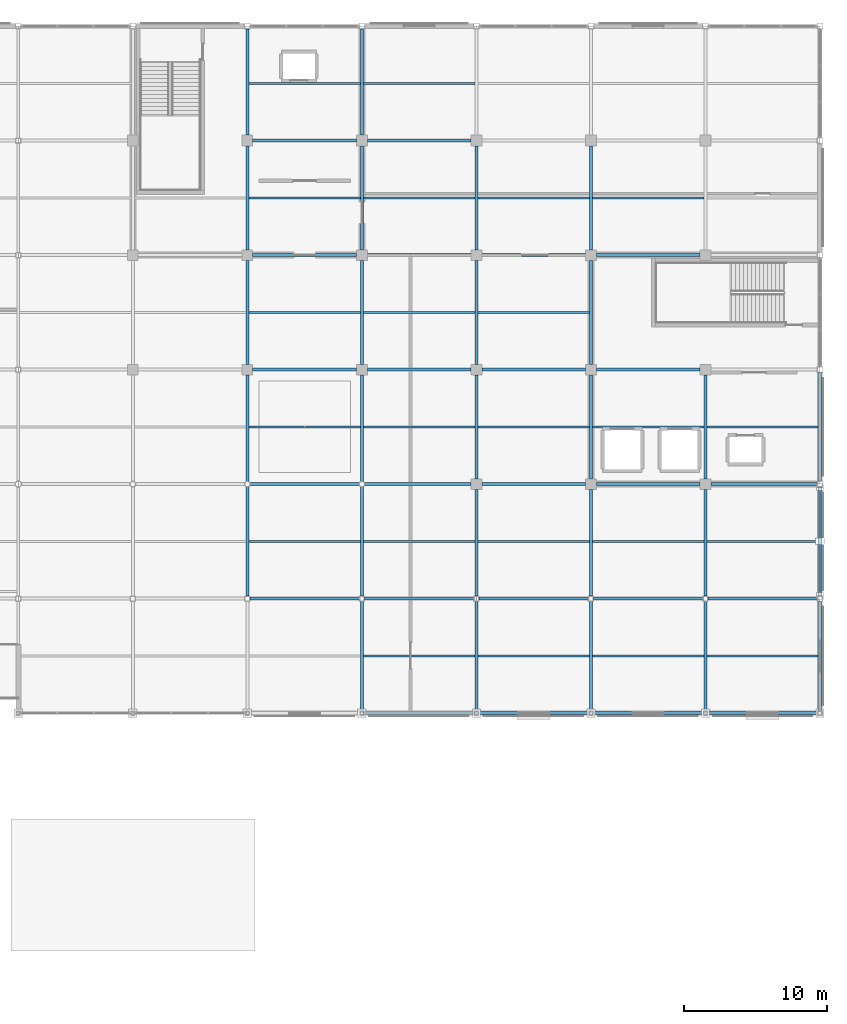
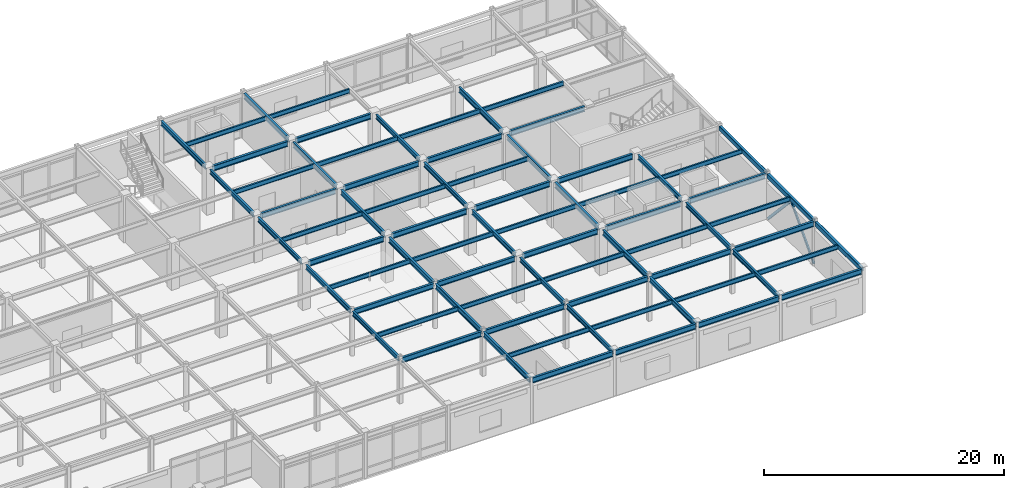
# One storey, part 76 of 117: 74 beams, 2 members.
"""IFC4 building model written with IfcOpenShell, lengths in metres."""

from ifc_helpers import new_model, si_unit, direction, frame, origin, origin_2d, place, context, subcontext, project, spatial, hollow_rectangle, i_section, extrude, material, material_profile, profile_set, type_object, element, save


model = new_model("IFC4")

# Units and contexts
model_context = context("Model", 3, precision=1e-05, world=origin(), true_north=direction((0.0, 1.0)))
body_context = subcontext(model_context, "Body", "Model", "MODEL_VIEW")
ifc_project = project(units=[si_unit("LENGTHUNIT", "METRE"), si_unit("AREAUNIT", "SQUARE_METRE"), si_unit("VOLUMEUNIT", "CUBIC_METRE"), si_unit("PLANEANGLEUNIT", "RADIAN"), si_unit("MASSUNIT", "GRAM", prefix="KILO")], contexts=[model_context])

# Site, building, storey
site_placement = place(None, origin())
site = spatial("IfcSite", under=ifc_project, at=site_placement, CompositionType="ELEMENT")
building_placement = place(site_placement, origin())
building = spatial("IfcBuilding", under=site, at=building_placement, Name="Solmirada Galleria", CompositionType="ELEMENT")
storey_placement = place(building_placement, frame((0.0, 0.0, 5.60009765625)))
storey = spatial("IfcBuildingStorey", under=building, at=storey_placement, Name="L01", CompositionType="ELEMENT", Elevation=5.60009765625)

# Beams
ifc_material_1 = material(Name="Steel S355 / ASTM A992 Grade 50", Category="steel")
ifc_material_profile_1 = material_profile(ifc_material_1, i_section(OverallWidth=0.194091796875, OverallDepth=0.468994140625, WebThickness=0.0126953125, FlangeThickness=0.0205078125, FilletRadius=0.013916015625, at=origin_2d()), Name="W18X71")
ifc_profile_set_1 = profile_set([ifc_material_profile_1], Name="Steel S355 / ASTM A992 Grade 50")
beam_type_1 = type_object("IfcBeamType", Name="BM-GIRD-W18B", PredefinedType="BEAM", material=ifc_profile_set_1)
beam_1_placement = place(storey_placement, frame((136.0, 80.177978515625, 4.365478515625), z_axis=(0.0, 1.0, 0.0), x_axis=(-1.0, 0.0, 0.0)))
element("IfcBeam", 1, at=beam_1_placement, inside=storey, type_object=beam_type_1, Name="Primary girder L02 Y(136, 80..88)", PredefinedType="BEAM", context=body_context, shape_type="SweptSolid", body=[
    extrude(i_section(OverallWidth=0.194091796875, OverallDepth=0.468994140625, WebThickness=0.0126953125, FlangeThickness=0.0205078125, FilletRadius=0.013916015625, at=origin_2d()), origin(), (0.0, 0.0, 1.0), 7.651611328125),
])
beam_2_placement = place(storey_placement, frame((136.0, 88.17041015625, 4.365478515625), z_axis=(0.0, 1.0, 0.0), x_axis=(-1.0, 0.0, 0.0)))
element("IfcBeam", 2, at=beam_2_placement, inside=storey, type_object=beam_type_1, Name="Primary girder L02 Y(136, 88..96)", PredefinedType="BEAM", context=body_context, shape_type="SweptSolid", body=[
    extrude(i_section(OverallWidth=0.194091796875, OverallDepth=0.468994140625, WebThickness=0.0126953125, FlangeThickness=0.0205078125, FilletRadius=0.013916015625, at=origin_2d()), origin(), (0.0, 0.0, 1.0), 7.45458984375),
])
for number, where, z_axis, x_axis, name in (
    (3, (136.0, 96.375, 4.365478515625), (0.0, 1.0, 0.0), (-1.0, 0.0, 0.0), "Primary girder L02 Y(136, 96..104)"),
    (4, (136.0, 104.375, 4.365478515625), (0.0, 1.0, 0.0), (-1.0, 0.0, 0.0), "Primary girder L02 Y(136, 104..112)"),
):
    element("IfcBeam", number, at=place(storey_placement, frame(where, z_axis=z_axis, x_axis=x_axis)), inside=storey, type_object=beam_type_1, Name=name, PredefinedType="BEAM", context=body_context, shape_type="SweptSolid", body=[
        extrude(i_section(OverallWidth=0.194091796875, OverallDepth=0.468994140625, WebThickness=0.0126953125, FlangeThickness=0.0205078125, FilletRadius=0.013916015625, at=origin_2d()), origin(), (0.0, 0.0, 1.0), 7.25),
    ])
beam_3_placement = place(storey_placement, frame((136.0, 112.375, 4.365478515625), z_axis=(0.0, 1.0, 0.0), x_axis=(-1.0, 0.0, 0.0)))
element("IfcBeam", 5, at=beam_3_placement, inside=storey, type_object=beam_type_1, Name="Primary girder L02 Y(136, 112..120)", PredefinedType="BEAM", context=body_context, shape_type="SweptSolid", body=[
    extrude(i_section(OverallWidth=0.194091796875, OverallDepth=0.468994140625, WebThickness=0.0126953125, FlangeThickness=0.0205078125, FilletRadius=0.013916015625, at=origin_2d()), origin(), (0.0, 0.0, 1.0), 7.422119140625),
])
beam_4_placement = place(storey_placement, frame((152.0, 72.126953125, 4.325439453125), z_axis=(0.0, 1.0, 0.0), x_axis=(-1.0, 0.0, 0.0)))
element("IfcBeam", 6, at=beam_4_placement, inside=storey, type_object=beam_type_1, Name="Primary girder L02 Y(152, 72..80)", PredefinedType="BEAM", context=body_context, shape_type="SweptSolid", body=[
    extrude(i_section(OverallWidth=0.194091796875, OverallDepth=0.468994140625, WebThickness=0.0126953125, FlangeThickness=0.0205078125, FilletRadius=0.013916015625, at=origin_2d()), origin(), (0.0, 0.0, 1.0), 7.695068359375),
])
beam_5_placement = place(storey_placement, frame((152.0, 80.177978515625, 4.365478515625), z_axis=(0.0, 1.0, 0.0), x_axis=(-1.0, 0.0, 0.0)))
element("IfcBeam", 7, at=beam_5_placement, inside=storey, type_object=beam_type_1, Name="Primary girder L02 Y(152, 80..88)", PredefinedType="BEAM", context=body_context, shape_type="SweptSolid", body=[
    extrude(i_section(OverallWidth=0.194091796875, OverallDepth=0.468994140625, WebThickness=0.0126953125, FlangeThickness=0.0205078125, FilletRadius=0.013916015625, at=origin_2d()), origin(), (0.0, 0.0, 1.0), 7.447021484375),
])
for number, where, z_axis, x_axis, name in (
    (8, (152.0, 88.375, 4.365478515625), (0.0, 1.0, 0.0), (-1.0, 0.0, 0.0), "Primary girder L02 Y(152, 88..96)"),
    (9, (152.0, 96.375, 4.365478515625), (0.0, 1.0, 0.0), (-1.0, 0.0, 0.0), "Primary girder L02 Y(152, 96..104)"),
    (10, (152.0, 104.375, 4.365478515625), (0.0, 1.0, 0.0), (-1.0, 0.0, 0.0), "Primary girder L02 Y(152, 104..112)"),
):
    element("IfcBeam", number, at=place(storey_placement, frame(where, z_axis=z_axis, x_axis=x_axis)), inside=storey, type_object=beam_type_1, Name=name, PredefinedType="BEAM", context=body_context, shape_type="SweptSolid", body=[
        extrude(i_section(OverallWidth=0.194091796875, OverallDepth=0.468994140625, WebThickness=0.0126953125, FlangeThickness=0.0205078125, FilletRadius=0.013916015625, at=origin_2d()), origin(), (0.0, 0.0, 1.0), 7.25),
    ])
beam_6_placement = place(storey_placement, frame((168.0, 72.126953125, 4.325439453125), z_axis=(0.0, 1.0, 0.0), x_axis=(-1.0, 0.0, 0.0)))
element("IfcBeam", 11, at=beam_6_placement, inside=storey, type_object=beam_type_1, Name="Primary girder L02 Y(168, 72..80)", PredefinedType="BEAM", context=body_context, shape_type="SweptSolid", body=[
    extrude(i_section(OverallWidth=0.194091796875, OverallDepth=0.468994140625, WebThickness=0.0126953125, FlangeThickness=0.0205078125, FilletRadius=0.013916015625, at=origin_2d()), origin(), (0.0, 0.0, 1.0), 7.695068359375),
])
beam_7_placement = place(storey_placement, frame((168.0, 80.177978515625, 4.365478515625), z_axis=(0.0, 1.0, 0.0), x_axis=(-1.0, 0.0, 0.0)))
element("IfcBeam", 12, at=beam_7_placement, inside=storey, type_object=beam_type_1, Name="Primary girder L02 Y(168, 80..88)", PredefinedType="BEAM", context=body_context, shape_type="SweptSolid", body=[
    extrude(i_section(OverallWidth=0.194091796875, OverallDepth=0.468994140625, WebThickness=0.0126953125, FlangeThickness=0.0205078125, FilletRadius=0.013916015625, at=origin_2d()), origin(), (0.0, 0.0, 1.0), 7.447021484375),
])
beam_8_placement = place(storey_placement, frame((168.0, 88.375, 4.365478515625), z_axis=(0.0, 1.0, 0.0), x_axis=(-1.0, 0.0, 0.0)))
element("IfcBeam", 13, at=beam_8_placement, inside=storey, type_object=beam_type_1, Name="Primary girder L02 Y(168, 88..96)", PredefinedType="BEAM", context=body_context, shape_type="SweptSolid", body=[
    extrude(i_section(OverallWidth=0.194091796875, OverallDepth=0.468994140625, WebThickness=0.0126953125, FlangeThickness=0.0205078125, FilletRadius=0.013916015625, at=origin_2d()), origin(), (0.0, 0.0, 1.0), 7.25),
])
ifc_material_profile_2 = material_profile(ifc_material_1, i_section(OverallWidth=0.214111328125, OverallDepth=0.549072265625, WebThickness=0.0146484375, FlangeThickness=0.023681640625, FilletRadius=0.014892578125, at=origin_2d()), Name="W21X93")
ifc_profile_set_2 = profile_set([ifc_material_profile_2], Name="Steel S355 / ASTM A992 Grade 50")
beam_type_2 = type_object("IfcBeamType", Name="BM-GIRD-W21A", PredefinedType="BEAM", material=ifc_profile_set_2)
beam_9_placement = place(storey_placement, frame((136.177978515625, 80.0, 4.285400390625), z_axis=(1.0, 0.0, 0.0), x_axis=(0.0, 1.0, 0.0)))
element("IfcBeam", 14, at=beam_9_placement, inside=storey, type_object=beam_type_2, Name="Primary beam L02 X(136..144, 80)", PredefinedType="BEAM", context=body_context, shape_type="SweptSolid", body=[
    extrude(i_section(OverallWidth=0.214111328125, OverallDepth=0.549072265625, WebThickness=0.0146484375, FlangeThickness=0.023681640625, FilletRadius=0.014892578125, at=origin_2d()), origin(), (0.0, 0.0, 1.0), 7.64404296875),
])
for number, where, z_axis, x_axis, name in (
    (15, (136.375, 96.0, 4.325439453125), (1.0, 0.0, 0.0), (0.0, 1.0, 0.0), "Primary beam L02 X(136..144, 96)"),
    (16, (136.375, 112.0, 4.325439453125), (1.0, 0.0, 0.0), (0.0, 1.0, 0.0), "Primary beam L02 X(136..144, 112)"),
):
    element("IfcBeam", number, at=place(storey_placement, frame(where, z_axis=z_axis, x_axis=x_axis)), inside=storey, type_object=beam_type_2, Name=name, PredefinedType="BEAM", context=body_context, shape_type="SweptSolid", body=[
        extrude(i_section(OverallWidth=0.214111328125, OverallDepth=0.549072265625, WebThickness=0.0146484375, FlangeThickness=0.023681640625, FilletRadius=0.014892578125, at=origin_2d()), origin(), (0.0, 0.0, 1.0), 7.25),
    ])
beam_10_placement = place(storey_placement, frame((144.177978515625, 80.0, 4.285400390625), z_axis=(1.0, 0.0, 0.0), x_axis=(0.0, 1.0, 0.0)))
element("IfcBeam", 17, at=beam_10_placement, inside=storey, type_object=beam_type_2, Name="Primary beam L02 X(144..152, 80)", PredefinedType="BEAM", context=body_context, shape_type="SweptSolid", body=[
    extrude(i_section(OverallWidth=0.214111328125, OverallDepth=0.549072265625, WebThickness=0.0146484375, FlangeThickness=0.023681640625, FilletRadius=0.014892578125, at=origin_2d()), origin(), (0.0, 0.0, 1.0), 7.64404296875),
])
for number, where, z_axis, x_axis, name in (
    (18, (144.375, 96.0, 4.325439453125), (1.0, 0.0, 0.0), (0.0, 1.0, 0.0), "Primary beam L02 X(144..152, 96)"),
    (19, (144.375, 112.0, 4.325439453125), (1.0, 0.0, 0.0), (0.0, 1.0, 0.0), "Primary beam L02 X(144..152, 112)"),
):
    element("IfcBeam", number, at=place(storey_placement, frame(where, z_axis=z_axis, x_axis=x_axis)), inside=storey, type_object=beam_type_2, Name=name, PredefinedType="BEAM", context=body_context, shape_type="SweptSolid", body=[
        extrude(i_section(OverallWidth=0.214111328125, OverallDepth=0.549072265625, WebThickness=0.0146484375, FlangeThickness=0.023681640625, FilletRadius=0.014892578125, at=origin_2d()), origin(), (0.0, 0.0, 1.0), 7.25),
    ])
beam_11_placement = place(storey_placement, frame((152.177978515625, 80.0, 4.285400390625), z_axis=(1.0, 0.0, 0.0), x_axis=(0.0, 1.0, 0.0)))
element("IfcBeam", 20, at=beam_11_placement, inside=storey, type_object=beam_type_2, Name="Primary beam L02 X(152..160, 80)", PredefinedType="BEAM", context=body_context, shape_type="SweptSolid", body=[
    extrude(i_section(OverallWidth=0.214111328125, OverallDepth=0.549072265625, WebThickness=0.0146484375, FlangeThickness=0.023681640625, FilletRadius=0.014892578125, at=origin_2d()), origin(), (0.0, 0.0, 1.0), 7.64404296875),
])
beam_12_placement = place(storey_placement, frame((152.375, 96.0, 4.325439453125), z_axis=(1.0, 0.0, 0.0), x_axis=(0.0, 1.0, 0.0)))
element("IfcBeam", 21, at=beam_12_placement, inside=storey, type_object=beam_type_2, Name="Primary beam L02 X(152..160, 96)", PredefinedType="BEAM", context=body_context, shape_type="SweptSolid", body=[
    extrude(i_section(OverallWidth=0.214111328125, OverallDepth=0.549072265625, WebThickness=0.0146484375, FlangeThickness=0.023681640625, FilletRadius=0.014892578125, at=origin_2d()), origin(), (0.0, 0.0, 1.0), 7.25),
])
beam_13_placement = place(storey_placement, frame((160.177978515625, 80.0, 4.285400390625), z_axis=(1.0, 0.0, 0.0), x_axis=(0.0, 1.0, 0.0)))
element("IfcBeam", 22, at=beam_13_placement, inside=storey, type_object=beam_type_2, Name="Primary beam L02 X(160..168, 80)", PredefinedType="BEAM", context=body_context, shape_type="SweptSolid", body=[
    extrude(i_section(OverallWidth=0.214111328125, OverallDepth=0.549072265625, WebThickness=0.0146484375, FlangeThickness=0.023681640625, FilletRadius=0.014892578125, at=origin_2d()), origin(), (0.0, 0.0, 1.0), 7.64404296875),
])
beam_14_placement = place(storey_placement, frame((160.375, 96.0, 4.325439453125), z_axis=(1.0, 0.0, 0.0), x_axis=(0.0, 1.0, 0.0)))
element("IfcBeam", 23, at=beam_14_placement, inside=storey, type_object=beam_type_2, Name="Primary beam L02 X(160..168, 96)", PredefinedType="BEAM", context=body_context, shape_type="SweptSolid", body=[
    extrude(i_section(OverallWidth=0.214111328125, OverallDepth=0.549072265625, WebThickness=0.0146484375, FlangeThickness=0.023681640625, FilletRadius=0.014892578125, at=origin_2d()), origin(), (0.0, 0.0, 1.0), 7.25),
])
beam_15_placement = place(storey_placement, frame((168.177978515625, 80.0, 4.285400390625), z_axis=(1.0, 0.0, 0.0), x_axis=(0.0, 1.0, 0.0)))
element("IfcBeam", 24, at=beam_15_placement, inside=storey, type_object=beam_type_2, Name="Primary beam L02 X(168..176, 80)", PredefinedType="BEAM", context=body_context, shape_type="SweptSolid", body=[
    extrude(i_section(OverallWidth=0.214111328125, OverallDepth=0.549072265625, WebThickness=0.0146484375, FlangeThickness=0.023681640625, FilletRadius=0.014892578125, at=origin_2d()), origin(), (0.0, 0.0, 1.0), 7.64404296875),
])
ifc_material_profile_3 = material_profile(ifc_material_1, i_section(OverallWidth=0.2099609375, OverallDepth=0.537109375, WebThickness=0.010986328125, FlangeThickness=0.017333984375, FilletRadius=0.014892578125, at=origin_2d()), Name="W21X68")
ifc_profile_set_3 = profile_set([ifc_material_profile_3], Name="Steel S355 / ASTM A992 Grade 50")
beam_type_3 = type_object("IfcBeamType", Name="BM-GIRD-W21B", PredefinedType="BEAM", material=ifc_profile_set_3)
beam_16_placement = place(storey_placement, frame((136.17041015625, 88.0, 4.331298828125), z_axis=(1.0, 0.0, 0.0), x_axis=(0.0, 1.0, 0.0)))
element("IfcBeam", 25, at=beam_16_placement, inside=storey, type_object=beam_type_3, Name="Primary beam L02 X(136..144, 88)", PredefinedType="BEAM", context=body_context, shape_type="SweptSolid", body=[
    extrude(i_section(OverallWidth=0.2099609375, OverallDepth=0.537109375, WebThickness=0.010986328125, FlangeThickness=0.017333984375, FilletRadius=0.014892578125, at=origin_2d()), origin(), (0.0, 0.0, 1.0), 7.6591796875),
])
beam_17_placement = place(storey_placement, frame((136.375, 104.0, 4.331298828125), z_axis=(1.0, 0.0, 0.0), x_axis=(0.0, 1.0, 0.0)))
element("IfcBeam", 26, at=beam_17_placement, inside=storey, type_object=beam_type_3, Name="Primary beam L02 X(136..144, 104)", PredefinedType="BEAM", context=body_context, shape_type="SweptSolid", body=[
    extrude(i_section(OverallWidth=0.2099609375, OverallDepth=0.537109375, WebThickness=0.010986328125, FlangeThickness=0.017333984375, FilletRadius=0.014892578125, at=origin_2d()), origin(), (0.0, 0.0, 1.0), 7.25),
])
beam_18_placement = place(storey_placement, frame((144.126953125, 72.0, 4.29150390625), z_axis=(1.0, 0.0, 0.0), x_axis=(0.0, 1.0, 0.0)))
element("IfcBeam", 27, at=beam_18_placement, inside=storey, type_object=beam_type_3, Name="Primary beam L02 X(144..152, 72)", PredefinedType="BEAM", context=body_context, shape_type="SweptSolid", body=[
    extrude(i_section(OverallWidth=0.2099609375, OverallDepth=0.537109375, WebThickness=0.010986328125, FlangeThickness=0.017333984375, FilletRadius=0.014892578125, at=origin_2d()), origin(), (0.0, 0.0, 1.0), 7.74609375),
])
beam_19_placement = place(storey_placement, frame((144.17041015625, 88.0, 4.331298828125), z_axis=(1.0, 0.0, 0.0), x_axis=(0.0, 1.0, 0.0)))
element("IfcBeam", 28, at=beam_19_placement, inside=storey, type_object=beam_type_3, Name="Primary beam L02 X(144..152, 88)", PredefinedType="BEAM", context=body_context, shape_type="SweptSolid", body=[
    extrude(i_section(OverallWidth=0.2099609375, OverallDepth=0.537109375, WebThickness=0.010986328125, FlangeThickness=0.017333984375, FilletRadius=0.014892578125, at=origin_2d()), origin(), (0.0, 0.0, 1.0), 7.45458984375),
])
beam_20_placement = place(storey_placement, frame((144.375, 104.0, 4.331298828125), z_axis=(1.0, 0.0, 0.0), x_axis=(0.0, 1.0, 0.0)))
element("IfcBeam", 29, at=beam_20_placement, inside=storey, type_object=beam_type_3, Name="Primary beam L02 X(144..152, 104)", PredefinedType="BEAM", context=body_context, shape_type="SweptSolid", body=[
    extrude(i_section(OverallWidth=0.2099609375, OverallDepth=0.537109375, WebThickness=0.010986328125, FlangeThickness=0.017333984375, FilletRadius=0.014892578125, at=origin_2d()), origin(), (0.0, 0.0, 1.0), 7.25),
])
beam_21_placement = place(storey_placement, frame((152.126953125, 72.0, 4.29150390625), z_axis=(1.0, 0.0, 0.0), x_axis=(0.0, 1.0, 0.0)))
element("IfcBeam", 30, at=beam_21_placement, inside=storey, type_object=beam_type_3, Name="Primary beam L02 X(152..160, 72)", PredefinedType="BEAM", context=body_context, shape_type="SweptSolid", body=[
    extrude(i_section(OverallWidth=0.2099609375, OverallDepth=0.537109375, WebThickness=0.010986328125, FlangeThickness=0.017333984375, FilletRadius=0.014892578125, at=origin_2d()), origin(), (0.0, 0.0, 1.0), 7.74609375),
])
for number, where, z_axis, x_axis, name in (
    (31, (152.375, 88.0, 4.331298828125), (1.0, 0.0, 0.0), (0.0, 1.0, 0.0), "Primary beam L02 X(152..160, 88)"),
    (32, (152.375, 104.0, 4.331298828125), (1.0, 0.0, 0.0), (0.0, 1.0, 0.0), "Primary beam L02 X(152..160, 104)"),
):
    element("IfcBeam", number, at=place(storey_placement, frame(where, z_axis=z_axis, x_axis=x_axis)), inside=storey, type_object=beam_type_3, Name=name, PredefinedType="BEAM", context=body_context, shape_type="SweptSolid", body=[
        extrude(i_section(OverallWidth=0.2099609375, OverallDepth=0.537109375, WebThickness=0.010986328125, FlangeThickness=0.017333984375, FilletRadius=0.014892578125, at=origin_2d()), origin(), (0.0, 0.0, 1.0), 7.25),
    ])
beam_22_placement = place(storey_placement, frame((160.126953125, 72.0, 4.29150390625), z_axis=(1.0, 0.0, 0.0), x_axis=(0.0, 1.0, 0.0)))
element("IfcBeam", 33, at=beam_22_placement, inside=storey, type_object=beam_type_3, Name="Primary beam L02 X(160..168, 72)", PredefinedType="BEAM", context=body_context, shape_type="SweptSolid", body=[
    extrude(i_section(OverallWidth=0.2099609375, OverallDepth=0.537109375, WebThickness=0.010986328125, FlangeThickness=0.017333984375, FilletRadius=0.014892578125, at=origin_2d()), origin(), (0.0, 0.0, 1.0), 7.74609375),
])
for number, where, z_axis, x_axis, name in (
    (34, (160.375, 88.0, 4.331298828125), (1.0, 0.0, 0.0), (0.0, 1.0, 0.0), "Primary beam L02 X(160..168, 88)"),
    (35, (160.375, 104.0, 4.331298828125), (1.0, 0.0, 0.0), (0.0, 1.0, 0.0), "Primary beam L02 X(160..168, 104)"),
):
    element("IfcBeam", number, at=place(storey_placement, frame(where, z_axis=z_axis, x_axis=x_axis)), inside=storey, type_object=beam_type_3, Name=name, PredefinedType="BEAM", context=body_context, shape_type="SweptSolid", body=[
        extrude(i_section(OverallWidth=0.2099609375, OverallDepth=0.537109375, WebThickness=0.010986328125, FlangeThickness=0.017333984375, FilletRadius=0.014892578125, at=origin_2d()), origin(), (0.0, 0.0, 1.0), 7.25),
    ])
beam_23_placement = place(storey_placement, frame((168.126953125, 72.0, 4.29150390625), z_axis=(1.0, 0.0, 0.0), x_axis=(0.0, 1.0, 0.0)))
element("IfcBeam", 36, at=beam_23_placement, inside=storey, type_object=beam_type_3, Name="Primary beam L02 X(168..176, 72)", PredefinedType="BEAM", context=body_context, shape_type="SweptSolid", body=[
    extrude(i_section(OverallWidth=0.2099609375, OverallDepth=0.537109375, WebThickness=0.010986328125, FlangeThickness=0.017333984375, FilletRadius=0.014892578125, at=origin_2d()), origin(), (0.0, 0.0, 1.0), 7.720458984375),
])
beam_24_placement = place(storey_placement, frame((168.375, 88.0, 4.331298828125), z_axis=(1.0, 0.0, 0.0), x_axis=(0.0, 1.0, 0.0)))
element("IfcBeam", 37, at=beam_24_placement, inside=storey, type_object=beam_type_3, Name="Primary beam L02 X(168..176, 88)", PredefinedType="BEAM", context=body_context, shape_type="SweptSolid", body=[
    extrude(i_section(OverallWidth=0.2099609375, OverallDepth=0.537109375, WebThickness=0.010986328125, FlangeThickness=0.017333984375, FilletRadius=0.014892578125, at=origin_2d()), origin(), (0.0, 0.0, 1.0), 7.422119140625),
])
beam_25_placement = place(storey_placement, frame((144.0, 72.126953125, 4.29150390625), z_axis=(0.0, 1.0, 0.0), x_axis=(-1.0, 0.0, 0.0)))
element("IfcBeam", 38, at=beam_25_placement, inside=storey, type_object=beam_type_3, Name="Primary girder L02 Y(144, 72..80)", PredefinedType="BEAM", context=body_context, shape_type="SweptSolid", body=[
    extrude(i_section(OverallWidth=0.2099609375, OverallDepth=0.537109375, WebThickness=0.010986328125, FlangeThickness=0.017333984375, FilletRadius=0.014892578125, at=origin_2d()), origin(), (0.0, 0.0, 1.0), 7.695068359375),
])
beam_26_placement = place(storey_placement, frame((144.0, 80.177978515625, 4.331298828125), z_axis=(0.0, 1.0, 0.0), x_axis=(-1.0, 0.0, 0.0)))
element("IfcBeam", 39, at=beam_26_placement, inside=storey, type_object=beam_type_3, Name="Primary girder L02 Y(144, 80..88)", PredefinedType="BEAM", context=body_context, shape_type="SweptSolid", body=[
    extrude(i_section(OverallWidth=0.2099609375, OverallDepth=0.537109375, WebThickness=0.010986328125, FlangeThickness=0.017333984375, FilletRadius=0.014892578125, at=origin_2d()), origin(), (0.0, 0.0, 1.0), 7.651611328125),
])
beam_27_placement = place(storey_placement, frame((144.0, 88.17041015625, 4.331298828125), z_axis=(0.0, 1.0, 0.0), x_axis=(-1.0, 0.0, 0.0)))
element("IfcBeam", 40, at=beam_27_placement, inside=storey, type_object=beam_type_3, Name="Primary girder L02 Y(144, 88..96)", PredefinedType="BEAM", context=body_context, shape_type="SweptSolid", body=[
    extrude(i_section(OverallWidth=0.2099609375, OverallDepth=0.537109375, WebThickness=0.010986328125, FlangeThickness=0.017333984375, FilletRadius=0.014892578125, at=origin_2d()), origin(), (0.0, 0.0, 1.0), 7.45458984375),
])
for number, where, z_axis, x_axis, name in (
    (41, (144.0, 96.375, 4.331298828125), (0.0, 1.0, 0.0), (-1.0, 0.0, 0.0), "Primary girder L02 Y(144, 96..104)"),
    (42, (144.0, 104.375, 4.331298828125), (0.0, 1.0, 0.0), (-1.0, 0.0, 0.0), "Primary girder L02 Y(144, 104..112)"),
):
    element("IfcBeam", number, at=place(storey_placement, frame(where, z_axis=z_axis, x_axis=x_axis)), inside=storey, type_object=beam_type_3, Name=name, PredefinedType="BEAM", context=body_context, shape_type="SweptSolid", body=[
        extrude(i_section(OverallWidth=0.2099609375, OverallDepth=0.537109375, WebThickness=0.010986328125, FlangeThickness=0.017333984375, FilletRadius=0.014892578125, at=origin_2d()), origin(), (0.0, 0.0, 1.0), 7.25),
    ])
beam_28_placement = place(storey_placement, frame((144.0, 112.375, 4.331298828125), z_axis=(0.0, 1.0, 0.0), x_axis=(-1.0, 0.0, 0.0)))
element("IfcBeam", 43, at=beam_28_placement, inside=storey, type_object=beam_type_3, Name="Primary girder L02 Y(144, 112..120)", PredefinedType="BEAM", context=body_context, shape_type="SweptSolid", body=[
    extrude(i_section(OverallWidth=0.2099609375, OverallDepth=0.537109375, WebThickness=0.010986328125, FlangeThickness=0.017333984375, FilletRadius=0.014892578125, at=origin_2d()), origin(), (0.0, 0.0, 1.0), 7.422119140625),
])
beam_29_placement = place(storey_placement, frame((160.0, 72.126953125, 4.29150390625), z_axis=(0.0, 1.0, 0.0), x_axis=(-1.0, 0.0, 0.0)))
element("IfcBeam", 44, at=beam_29_placement, inside=storey, type_object=beam_type_3, Name="Primary girder L02 Y(160, 72..80)", PredefinedType="BEAM", context=body_context, shape_type="SweptSolid", body=[
    extrude(i_section(OverallWidth=0.2099609375, OverallDepth=0.537109375, WebThickness=0.010986328125, FlangeThickness=0.017333984375, FilletRadius=0.014892578125, at=origin_2d()), origin(), (0.0, 0.0, 1.0), 7.695068359375),
])
beam_30_placement = place(storey_placement, frame((160.0, 80.177978515625, 4.331298828125), z_axis=(0.0, 1.0, 0.0), x_axis=(-1.0, 0.0, 0.0)))
element("IfcBeam", 45, at=beam_30_placement, inside=storey, type_object=beam_type_3, Name="Primary girder L02 Y(160, 80..88)", PredefinedType="BEAM", context=body_context, shape_type="SweptSolid", body=[
    extrude(i_section(OverallWidth=0.2099609375, OverallDepth=0.537109375, WebThickness=0.010986328125, FlangeThickness=0.017333984375, FilletRadius=0.014892578125, at=origin_2d()), origin(), (0.0, 0.0, 1.0), 7.447021484375),
])
for number, where, z_axis, x_axis, name in (
    (46, (160.0, 88.375, 4.331298828125), (0.0, 1.0, 0.0), (-1.0, 0.0, 0.0), "Primary girder L02 Y(160, 88..96)"),
    (47, (160.0, 96.375, 4.331298828125), (0.0, 1.0, 0.0), (-1.0, 0.0, 0.0), "Primary girder L02 Y(160, 96..104)"),
    (48, (160.0, 104.375, 4.331298828125), (0.0, 1.0, 0.0), (-1.0, 0.0, 0.0), "Primary girder L02 Y(160, 104..112)"),
):
    element("IfcBeam", number, at=place(storey_placement, frame(where, z_axis=z_axis, x_axis=x_axis)), inside=storey, type_object=beam_type_3, Name=name, PredefinedType="BEAM", context=body_context, shape_type="SweptSolid", body=[
        extrude(i_section(OverallWidth=0.2099609375, OverallDepth=0.537109375, WebThickness=0.010986328125, FlangeThickness=0.017333984375, FilletRadius=0.014892578125, at=origin_2d()), origin(), (0.0, 0.0, 1.0), 7.25),
    ])
ifc_material_profile_4 = material_profile(ifc_material_1, i_section(OverallWidth=0.152099609375, OverallDepth=0.449951171875, WebThickness=0.007568359375, FlangeThickness=0.0107421875, FilletRadius=0.011962890625, at=origin_2d()), Name="W18X35")
ifc_profile_set_4 = profile_set([ifc_material_profile_4], Name="Steel S355 / ASTM A992 Grade 50")
beam_type_4 = type_object("IfcBeamType", Name="BM-JST-W18B", PredefinedType="JOIST", material=ifc_profile_set_4)
for number, where, z_axis, x_axis, name in (
    (49, (136.096923828125, 84.0, 4.375), (1.0, 0.0, 0.0), (0.0, 1.0, 0.0), "Composite floor joist L02 (136..144, 84.0)"),
    (50, (136.096923828125, 92.0, 4.375), (1.0, 0.0, 0.0), (0.0, 1.0, 0.0), "Composite floor joist L02 (136..144, 92.0)"),
    (51, (136.096923828125, 100.0, 4.375), (1.0, 0.0, 0.0), (0.0, 1.0, 0.0), "Composite floor joist L02 (136..144, 100.0)"),
    (52, (136.096923828125, 108.0, 4.375), (1.0, 0.0, 0.0), (0.0, 1.0, 0.0), "Composite floor joist L02 (136..144, 108.0)"),
    (53, (136.096923828125, 116.0, 4.375), (1.0, 0.0, 0.0), (0.0, 1.0, 0.0), "Composite floor joist L02 (136..144, 116.0)"),
    (54, (144.10498046875, 76.0, 4.3349609375), (1.0, 0.0, 0.0), (0.0, 1.0, 0.0), "Composite floor joist L02 (144..152, 76.0)"),
    (55, (144.10498046875, 84.0, 4.375), (1.0, 0.0, 0.0), (0.0, 1.0, 0.0), "Composite floor joist L02 (144..152, 84.0)"),
    (56, (144.10498046875, 92.0, 4.375), (1.0, 0.0, 0.0), (0.0, 1.0, 0.0), "Composite floor joist L02 (144..152, 92.0)"),
    (57, (144.10498046875, 100.0, 4.375), (1.0, 0.0, 0.0), (0.0, 1.0, 0.0), "Composite floor joist L02 (144..152, 100.0)"),
    (58, (144.10498046875, 108.0, 4.375), (1.0, 0.0, 0.0), (0.0, 1.0, 0.0), "Composite floor joist L02 (144..152, 108.0)"),
    (59, (144.10498046875, 116.0, 4.375), (1.0, 0.0, 0.0), (0.0, 1.0, 0.0), "Composite floor joist L02 (144..152, 116.0)"),
    (60, (152.096923828125, 76.0, 4.3349609375), (1.0, 0.0, 0.0), (0.0, 1.0, 0.0), "Composite floor joist L02 (152..160, 76.0)"),
    (61, (152.096923828125, 84.0, 4.375), (1.0, 0.0, 0.0), (0.0, 1.0, 0.0), "Composite floor joist L02 (152..160, 84.0)"),
    (62, (152.096923828125, 92.0, 4.375), (1.0, 0.0, 0.0), (0.0, 1.0, 0.0), "Composite floor joist L02 (152..160, 92.0)"),
    (63, (152.096923828125, 100.0, 4.375), (1.0, 0.0, 0.0), (0.0, 1.0, 0.0), "Composite floor joist L02 (152..160, 100.0)"),
    (64, (152.096923828125, 108.0, 4.375), (1.0, 0.0, 0.0), (0.0, 1.0, 0.0), "Composite floor joist L02 (152..160, 108.0)"),
    (65, (160.10498046875, 76.0, 4.3349609375), (1.0, 0.0, 0.0), (0.0, 1.0, 0.0), "Composite floor joist L02 (160..168, 76.0)"),
    (66, (160.10498046875, 84.0, 4.375), (1.0, 0.0, 0.0), (0.0, 1.0, 0.0), "Composite floor joist L02 (160..168, 84.0)"),
    (67, (160.10498046875, 92.0, 4.375), (1.0, 0.0, 0.0), (0.0, 1.0, 0.0), "Composite floor joist L02 (160..168, 92.0)"),
    (68, (160.10498046875, 108.0, 4.375), (1.0, 0.0, 0.0), (0.0, 1.0, 0.0), "Composite floor joist L02 (160..168, 108.0)"),
):
    element("IfcBeam", number, at=place(storey_placement, frame(where, z_axis=z_axis, x_axis=x_axis)), inside=storey, type_object=beam_type_4, Name=name, PredefinedType="JOIST", context=body_context, shape_type="SweptSolid", body=[
        extrude(i_section(OverallWidth=0.152099609375, OverallDepth=0.449951171875, WebThickness=0.007568359375, FlangeThickness=0.0107421875, FilletRadius=0.011962890625, at=origin_2d()), origin(), (0.0, 0.0, 1.0), 7.798095703125),
    ])
for number, where, z_axis, x_axis, name in (
    (69, (168.096923828125, 76.0, 4.3349609375), (1.0, 0.0, 0.0), (0.0, 1.0, 0.0), "Composite floor joist L02 (168..176, 76.0)"),
    (70, (168.096923828125, 84.0, 4.375), (1.0, 0.0, 0.0), (0.0, 1.0, 0.0), "Composite floor joist L02 (168..176, 84.0)"),
    (71, (168.096923828125, 92.0, 4.375), (1.0, 0.0, 0.0), (0.0, 1.0, 0.0), "Composite floor joist L02 (168..176, 92.0)"),
):
    element("IfcBeam", number, at=place(storey_placement, frame(where, z_axis=z_axis, x_axis=x_axis)), inside=storey, type_object=beam_type_4, Name=name, PredefinedType="JOIST", context=body_context, shape_type="SweptSolid", body=[
        extrude(i_section(OverallWidth=0.152099609375, OverallDepth=0.449951171875, WebThickness=0.007568359375, FlangeThickness=0.0107421875, FilletRadius=0.011962890625, at=origin_2d()), origin(), (0.0, 0.0, 1.0), 7.776123046875),
    ])
ifc_material_2 = material(Name="Steel S355 / ASTM A500 Grade C", Category="steel")
ifc_material_profile_5 = material_profile(ifc_material_2, hollow_rectangle(XDim=0.25390625, YDim=0.45703125, WallThickness=0.01171875, InnerFilletRadius=0.01171875, OuterFilletRadius=0.023681640625, at=origin_2d()), Name="HSS18X10X1/2")
ifc_profile_set_5 = profile_set([ifc_material_profile_5], Name="Steel S355 / ASTM A500 Grade C")
beam_type_5 = type_object("IfcBeamType", Name="BM-SPAND-W18", PredefinedType="SPANDREL", material=ifc_profile_set_5)
beam_31_placement = place(storey_placement, frame((176.0, 72.152587890625, 4.331298828125), z_axis=(0.0, 1.0, 0.0), x_axis=(-1.0, 0.0, 0.0)))
element("IfcBeam", 72, at=beam_31_placement, inside=storey, type_object=beam_type_5, Name="Primary girder L02 Y(176, 72..80)", PredefinedType="SPANDREL", context=body_context, shape_type="SweptSolid", body=[
    extrude(hollow_rectangle(XDim=0.25390625, YDim=0.45703125, WallThickness=0.01171875, InnerFilletRadius=0.01171875, OuterFilletRadius=0.023681640625, at=origin_2d()), origin(), (0.0, 0.0, 1.0), 7.66943359375),
])
beam_32_placement = place(storey_placement, frame((176.0, 80.177978515625, 4.371337890625), z_axis=(0.0, 1.0, 0.0), x_axis=(-1.0, 0.0, 0.0)))
element("IfcBeam", 73, at=beam_32_placement, inside=storey, type_object=beam_type_5, Name="Primary girder L02 Y(176, 80..88)", PredefinedType="SPANDREL", context=body_context, shape_type="SweptSolid", body=[
    extrude(hollow_rectangle(XDim=0.25390625, YDim=0.45703125, WallThickness=0.01171875, InnerFilletRadius=0.01171875, OuterFilletRadius=0.023681640625, at=origin_2d()), origin(), (0.0, 0.0, 1.0), 7.619140625),
])
beam_33_placement = place(storey_placement, frame((176.0, 88.202880859375, 4.371337890625), z_axis=(0.0, 1.0, 0.0), x_axis=(-1.0, 0.0, 0.0)))
element("IfcBeam", 74, at=beam_33_placement, inside=storey, type_object=beam_type_5, Name="Primary girder L02 Y(176, 88..96)", PredefinedType="SPANDREL", context=body_context, shape_type="SweptSolid", body=[
    extrude(hollow_rectangle(XDim=0.25390625, YDim=0.45703125, WallThickness=0.01171875, InnerFilletRadius=0.01171875, OuterFilletRadius=0.023681640625, at=origin_2d()), origin(), (0.0, 0.0, 1.0), 7.59423828125),
])

# Members
ifc_material_profile_6 = material_profile(ifc_material_2, hollow_rectangle(XDim=0.152099609375, YDim=0.25390625, WallThickness=0.0087890625, InnerFilletRadius=0.0087890625, OuterFilletRadius=0.017822265625, at=origin_2d()), Name="HSS10X6X3/8")
ifc_profile_set_6 = profile_set([ifc_material_profile_6], Name="Steel S355 / ASTM A500 Grade C")
member_type = type_object("IfcMemberType", Name="MEM-CBF-EXT", PredefinedType="BRACE", material=ifc_profile_set_6)
member_1_placement = place(storey_placement, frame((176.0, 80.177978515625, 0.02001953125), z_axis=(0.0, 0.681888250586, 0.731456364873), x_axis=(-1.0, 0.0, 0.0)))
element("IfcMember", 75, at=member_1_placement, inside=storey, type_object=member_type, Name="Braced frame diagonal CBF-E1 L01 A", PredefinedType="BRACE", context=body_context, shape_type="SweptSolid", body=[
    extrude(hollow_rectangle(XDim=0.152099609375, YDim=0.25390625, WallThickness=0.0087890625, InnerFilletRadius=0.0087890625, OuterFilletRadius=0.017822265625, at=origin_2d()), origin(), (0.0, 0.0, 1.0), 5.60498046875),
])
member_2_placement = place(storey_placement, frame((176.0, 87.797119140625, 0.02001953125), z_axis=(0.0, -0.679500373905, 0.733675160997), x_axis=(1.0, 0.0, 0.0)))
element("IfcMember", 76, at=member_2_placement, inside=storey, type_object=member_type, Name="Braced frame diagonal CBF-E1 L01 B", PredefinedType="BRACE", context=body_context, shape_type="SweptSolid", body=[
    extrude(hollow_rectangle(XDim=0.152099609375, YDim=0.25390625, WallThickness=0.0087890625, InnerFilletRadius=0.0087890625, OuterFilletRadius=0.017822265625, at=origin_2d()), origin(), (0.0, 0.0, 1.0), 5.588134765625),
])

save(model, "model.ifc")
